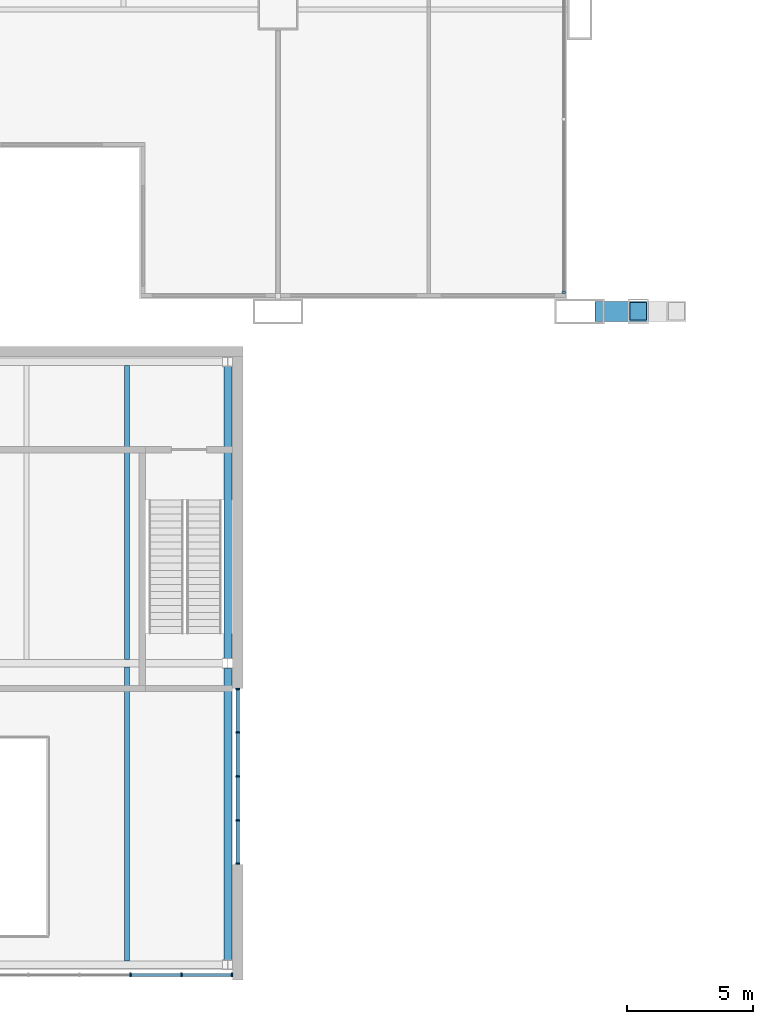
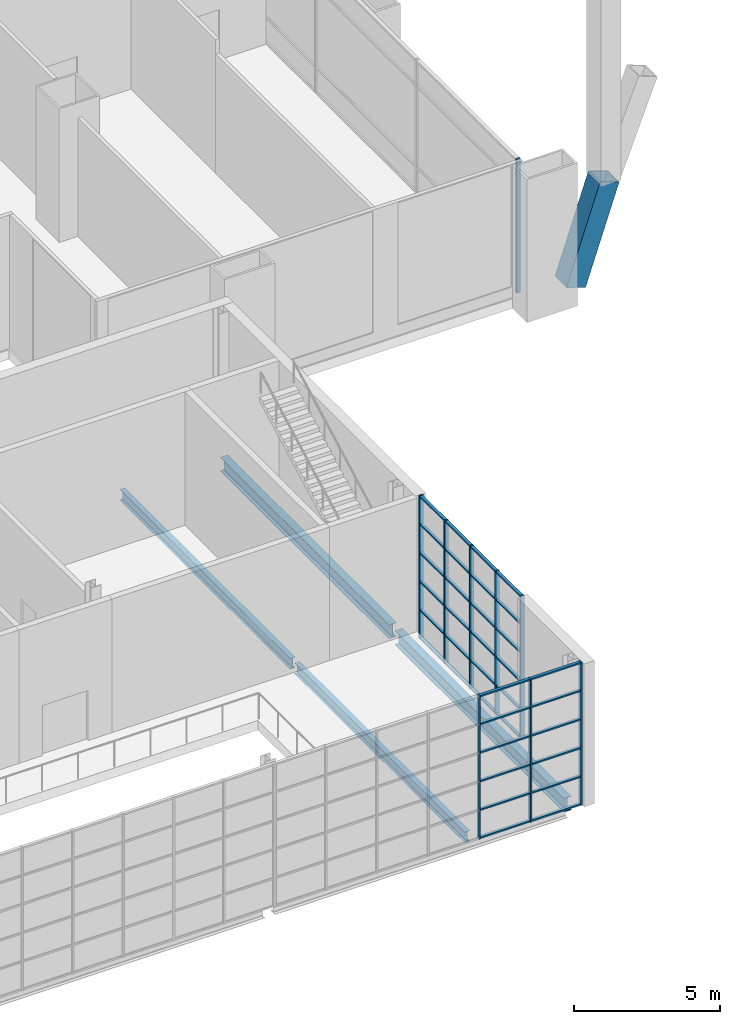
# One storey, part 10 of 30: 46 members, 4 beams, 3 elements without a shape of their own.
"""IFC4 building model written with IfcOpenShell, lengths in metres."""

from ifc_helpers import new_model, si_unit, direction, frame, origin, origin_2d, place, context, subcontext, project, spatial, rectangle, hollow_rectangle, i_section, extrude, material, layer, layer_set, material_profile, profile_set, type_object, element, aggregate, save


model = new_model("IFC4")

# Units and contexts
model_context = context("Model", 3, precision=1e-05, world=origin(), true_north=direction((0.0, 1.0)))
body_context = subcontext(model_context, "Body", "Model", "MODEL_VIEW")
ifc_project = project(units=[si_unit("LENGTHUNIT", "METRE"), si_unit("AREAUNIT", "SQUARE_METRE"), si_unit("VOLUMEUNIT", "CUBIC_METRE"), si_unit("PLANEANGLEUNIT", "RADIAN"), si_unit("MASSUNIT", "GRAM", prefix="KILO")], contexts=[model_context])

# Site, building, storey
site_placement = place(None, origin())
site = spatial("IfcSite", under=ifc_project, at=site_placement, CompositionType="ELEMENT")
building_placement = place(site_placement, origin())
building = spatial("IfcBuilding", under=site, at=building_placement, Name="Kitamizu Gate Tower and Museum", CompositionType="ELEMENT")
storey_placement = place(building_placement, frame((0.0, 0.0, 6.0)))
storey = spatial("IfcBuildingStorey", under=building, at=storey_placement, Name="L01", CompositionType="ELEMENT", Elevation=6.0)

# Member
ifc_material_1 = material(Name="Steel SM490A bronze coated", Category="steel")
ifc_material_profile_1 = material_profile(ifc_material_1, hollow_rectangle(XDim=0.800048828125, YDim=0.800048828125, WallThickness=0.050048828125, at=origin_2d()), Name="BOX 800x800x50")
ifc_profile_set_1 = profile_set([ifc_material_profile_1], Name="Steel SM490A bronze coated")
member_type_1 = type_object("IfcMemberType", Name="Arch rib AR1 BOX 800x800x50", PredefinedType="USERDEFINED", material=ifc_profile_set_1)
member_1_placement = place(storey_placement, frame((25.0, 0.0, 0.306396484375), z_axis=(0.319044039377, 0.0, 0.947739890971), x_axis=(0.0, 1.0, 0.0)))
element("IfcMember", 1, at=member_1_placement, inside=storey, type_object=member_type_1, Name="Arch rib SW-1", ObjectType="ARCH RIB", PredefinedType="USERDEFINED", context=body_context, shape_type="SweptSolid", body=[
    extrude(hollow_rectangle(XDim=0.800048828125, YDim=0.800048828125, WallThickness=0.050048828125, at=origin_2d()), origin(), (0.0, 0.0, 1.0), 4.18505859375),
])

# Curtain wall, member
ifc_material_2 = material(Name="Bronze anodised aluminium frame, tinted triple glazing", Category="aluminium")
curtain_wall_type_1 = type_object("IfcCurtainWallType", Name="CURTAIN WALL TYPE A PODIUM", PredefinedType="NOTDEFINED", material=ifc_material_2)
curtain_wall_1_placement = place(storey_placement, origin())
curtain_wall_1 = element("IfcCurtainWall", 2, at=curtain_wall_1_placement, inside=storey, type_object=curtain_wall_type_1, Name="Curtain wall CW-A east L01", PredefinedType="NOTDEFINED")
ifc_material_3 = material(Name="Bronze anodised aluminium", Category="aluminium")
ifc_material_profile_2 = material_profile(ifc_material_3, rectangle(XDim=0.090087890625, YDim=0.14990234375, at=origin_2d()), Name="AL 90X150")
ifc_profile_set_2 = profile_set([ifc_material_profile_2], Name="Bronze anodised aluminium")
member_type_2 = type_object("IfcMemberType", Name="MULLION 90 X 150 TYPE A", PredefinedType="MULLION", material=ifc_profile_set_2)
member_2_placement = place(storey_placement, frame((23.364990234375, 0.7548828125, 0.0), z_axis=(0.0, 0.0, 1.0), x_axis=(0.0, 1.0, 0.0)))
member_2 = element("IfcMember", 3, at=member_2_placement, type_object=member_type_2, Name="CW-A mullion 1", PredefinedType="MULLION", context=body_context, shape_type="SweptSolid", body=[
    extrude(rectangle(XDim=0.090087890625, YDim=0.14990234375, at=origin_2d()), origin(), (0.0, 0.0, 1.0), 5.60009765625),
])
aggregate(curtain_wall_1, [member_2])

# Curtain wall, members
ifc_material_4 = material(Name="Bronze anodised aluminium frame, tinted triple glazing", Category="aluminium")
ifc_layer = layer(ifc_material_4, 0.39990234375)
ifc_layer_set = layer_set([ifc_layer], Name="Bronze anodised aluminium frame, tinted triple glazing")
curtain_wall_type_2 = type_object("IfcCurtainWallType", Name="Museum atrium curtain wall D", PredefinedType="NOTDEFINED", material=ifc_layer_set)
curtain_wall_2_placement = place(storey_placement, origin())
curtain_wall_2 = element("IfcCurtainWall", 4, at=curtain_wall_2_placement, inside=storey, type_object=curtain_wall_type_2, Name="Atrium curtain wall Sm2m10.2", PredefinedType="NOTDEFINED")
ifc_material_5 = material(Name="Bronze anodised aluminium", Category="aluminium")
ifc_material_profile_3 = material_profile(ifc_material_5, rectangle(XDim=0.06005859375, YDim=0.159912109375, at=origin_2d()), Name="60x160")
ifc_profile_set_3 = profile_set([ifc_material_profile_3], Name="Bronze anodised aluminium")
member_type_3 = type_object("IfcMemberType", Name="Museum curtain wall mullion 60x160", PredefinedType="MULLION", material=ifc_profile_set_3)
member_3_placement = place(storey_placement, frame((6.13330078125, -26.39990234375, -0.39990234375), z_axis=(0.0, 0.0, 1.0), x_axis=(1.0, 0.0, 0.0)))
member_3 = element("IfcMember", 5, at=member_3_placement, type_object=member_type_3, Name="CW-D mullion 5", PredefinedType="MULLION", context=body_context, shape_type="SweptSolid", body=[
    extrude(rectangle(XDim=0.06005859375, YDim=0.159912109375, at=origin_2d()), origin(), (0.0, 0.0, 1.0), 6.0),
])
member_4_placement = place(storey_placement, frame((8.166748046875, -26.39990234375, -0.39990234375), z_axis=(0.0, 0.0, 1.0), x_axis=(1.0, 0.0, 0.0)))
member_4 = element("IfcMember", 6, at=member_4_placement, type_object=member_type_3, Name="CW-D mullion 6", PredefinedType="MULLION", context=body_context, shape_type="SweptSolid", body=[
    extrude(rectangle(XDim=0.06005859375, YDim=0.159912109375, at=origin_2d()), origin(), (0.0, 0.0, 1.0), 6.0),
])
member_5_placement = place(storey_placement, frame((10.169921875, -26.39990234375, -0.39990234375), z_axis=(0.0, 0.0, 1.0), x_axis=(1.0, 0.0, 0.0)))
member_5 = element("IfcMember", 7, at=member_5_placement, type_object=member_type_3, Name="CW-D mullion 7", PredefinedType="MULLION", context=body_context, shape_type="SweptSolid", body=[
    extrude(rectangle(XDim=0.06005859375, YDim=0.159912109375, at=origin_2d()), origin(), (0.0, 0.0, 1.0), 6.0),
])

curtain_wall_3_placement = place(storey_placement, origin())
curtain_wall_3 = element("IfcCurtainWall", 8, at=curtain_wall_3_placement, inside=storey, type_object=curtain_wall_type_2, Name="Atrium curtain wall Em22mm15", PredefinedType="NOTDEFINED")
member_6_placement = place(storey_placement, frame((10.39990234375, -21.969970703125, -0.39990234375), z_axis=(0.0, 0.0, 1.0), x_axis=(0.0, 1.0, 0.0)))
member_6 = element("IfcMember", 9, at=member_6_placement, type_object=member_type_3, Name="CW-D mullion 1", PredefinedType="MULLION", context=body_context, shape_type="SweptSolid", body=[
    extrude(rectangle(XDim=0.06005859375, YDim=0.159912109375, at=origin_2d()), origin(), (0.0, 0.0, 1.0), 6.0),
])
member_7_placement = place(storey_placement, frame((10.39990234375, -20.25, -0.39990234375), z_axis=(0.0, 0.0, 1.0), x_axis=(0.0, 1.0, 0.0)))
member_7 = element("IfcMember", 10, at=member_7_placement, type_object=member_type_3, Name="CW-D mullion 2", PredefinedType="MULLION", context=body_context, shape_type="SweptSolid", body=[
    extrude(rectangle(XDim=0.06005859375, YDim=0.159912109375, at=origin_2d()), origin(), (0.0, 0.0, 1.0), 6.0),
])
member_8_placement = place(storey_placement, frame((10.39990234375, -18.5, -0.39990234375), z_axis=(0.0, 0.0, 1.0), x_axis=(0.0, 1.0, 0.0)))
member_8 = element("IfcMember", 11, at=member_8_placement, type_object=member_type_3, Name="CW-D mullion 3", PredefinedType="MULLION", context=body_context, shape_type="SweptSolid", body=[
    extrude(rectangle(XDim=0.06005859375, YDim=0.159912109375, at=origin_2d()), origin(), (0.0, 0.0, 1.0), 6.0),
])
member_9_placement = place(storey_placement, frame((10.39990234375, -16.75, -0.39990234375), z_axis=(0.0, 0.0, 1.0), x_axis=(0.0, 1.0, 0.0)))
member_9 = element("IfcMember", 12, at=member_9_placement, type_object=member_type_3, Name="CW-D mullion 4", PredefinedType="MULLION", context=body_context, shape_type="SweptSolid", body=[
    extrude(rectangle(XDim=0.06005859375, YDim=0.159912109375, at=origin_2d()), origin(), (0.0, 0.0, 1.0), 6.0),
])
member_10_placement = place(storey_placement, frame((10.39990234375, -15.030029296875, -0.39990234375), z_axis=(0.0, 0.0, 1.0), x_axis=(0.0, 1.0, 0.0)))
member_10 = element("IfcMember", 13, at=member_10_placement, type_object=member_type_3, Name="CW-D mullion 5", PredefinedType="MULLION", context=body_context, shape_type="SweptSolid", body=[
    extrude(rectangle(XDim=0.06005859375, YDim=0.159912109375, at=origin_2d()), origin(), (0.0, 0.0, 1.0), 6.0),
])

# Member
ifc_material_6 = material(Name="Bronze anodised aluminium", Category="aluminium")
ifc_material_profile_4 = material_profile(ifc_material_6, rectangle(XDim=0.1201171875, YDim=0.06005859375, at=origin_2d()), Name="120x60")
ifc_profile_set_4 = profile_set([ifc_material_profile_4], Name="Bronze anodised aluminium")
member_type_4 = type_object("IfcMemberType", Name="Museum curtain wall transom 60x120", PredefinedType="USERDEFINED", material=ifc_profile_set_4)
member_11_placement = place(storey_placement, frame((6.163330078125, -26.39990234375, -0.3701171875), z_axis=(1.0, 0.0, 0.0), x_axis=(0.0, 1.0, 0.0)))
member_11 = element("IfcMember", 14, at=member_11_placement, type_object=member_type_4, Name="CW-D transom 5.1", ObjectType="TRANSOM", PredefinedType="USERDEFINED", context=body_context, shape_type="SweptSolid", body=[
    extrude(rectangle(XDim=0.1201171875, YDim=0.06005859375, at=origin_2d()), origin(), (0.0, 0.0, 1.0), 1.973388671875),
])

member_12_placement = place(storey_placement, frame((6.163330078125, -26.39990234375, 0.800048828125), z_axis=(1.0, 0.0, 0.0), x_axis=(0.0, 1.0, 0.0)))
member_12 = element("IfcMember", 15, at=member_12_placement, type_object=member_type_4, Name="CW-D transom 5.2", ObjectType="TRANSOM", PredefinedType="USERDEFINED", context=body_context, shape_type="SweptSolid", body=[
    extrude(rectangle(XDim=0.1201171875, YDim=0.06005859375, at=origin_2d()), origin(), (0.0, 0.0, 1.0), 1.973388671875),
])

member_13_placement = place(storey_placement, frame((6.163330078125, -26.39990234375, 2.0), z_axis=(1.0, 0.0, 0.0), x_axis=(0.0, 1.0, 0.0)))
member_13 = element("IfcMember", 16, at=member_13_placement, type_object=member_type_4, Name="CW-D transom 5.3", ObjectType="TRANSOM", PredefinedType="USERDEFINED", context=body_context, shape_type="SweptSolid", body=[
    extrude(rectangle(XDim=0.1201171875, YDim=0.06005859375, at=origin_2d()), origin(), (0.0, 0.0, 1.0), 1.973388671875),
])

member_14_placement = place(storey_placement, frame((6.163330078125, -26.39990234375, 3.199951171875), z_axis=(1.0, 0.0, 0.0), x_axis=(0.0, 1.0, 0.0)))
member_14 = element("IfcMember", 17, at=member_14_placement, type_object=member_type_4, Name="CW-D transom 5.4", ObjectType="TRANSOM", PredefinedType="USERDEFINED", context=body_context, shape_type="SweptSolid", body=[
    extrude(rectangle(XDim=0.1201171875, YDim=0.06005859375, at=origin_2d()), origin(), (0.0, 0.0, 1.0), 1.973388671875),
])

member_15_placement = place(storey_placement, frame((6.163330078125, -26.39990234375, 4.39990234375), z_axis=(1.0, 0.0, 0.0), x_axis=(0.0, 1.0, 0.0)))
member_15 = element("IfcMember", 18, at=member_15_placement, type_object=member_type_4, Name="CW-D transom 5.5", ObjectType="TRANSOM", PredefinedType="USERDEFINED", context=body_context, shape_type="SweptSolid", body=[
    extrude(rectangle(XDim=0.1201171875, YDim=0.06005859375, at=origin_2d()), origin(), (0.0, 0.0, 1.0), 1.973388671875),
])

member_16_placement = place(storey_placement, frame((6.163330078125, -26.39990234375, 5.570068359375), z_axis=(1.0, 0.0, 0.0), x_axis=(0.0, 1.0, 0.0)))
member_16 = element("IfcMember", 19, at=member_16_placement, type_object=member_type_4, Name="CW-D transom 5.6", ObjectType="TRANSOM", PredefinedType="USERDEFINED", context=body_context, shape_type="SweptSolid", body=[
    extrude(rectangle(XDim=0.1201171875, YDim=0.06005859375, at=origin_2d()), origin(), (0.0, 0.0, 1.0), 1.973388671875),
])

member_17_placement = place(storey_placement, frame((8.19677734375, -26.39990234375, -0.3701171875), z_axis=(1.0, 0.0, 0.0), x_axis=(0.0, 1.0, 0.0)))
member_17 = element("IfcMember", 20, at=member_17_placement, type_object=member_type_4, Name="CW-D transom 6.1", ObjectType="TRANSOM", PredefinedType="USERDEFINED", context=body_context, shape_type="SweptSolid", body=[
    extrude(rectangle(XDim=0.1201171875, YDim=0.06005859375, at=origin_2d()), origin(), (0.0, 0.0, 1.0), 1.943115234375),
])

member_18_placement = place(storey_placement, frame((8.19677734375, -26.39990234375, 0.800048828125), z_axis=(1.0, 0.0, 0.0), x_axis=(0.0, 1.0, 0.0)))
member_18 = element("IfcMember", 21, at=member_18_placement, type_object=member_type_4, Name="CW-D transom 6.2", ObjectType="TRANSOM", PredefinedType="USERDEFINED", context=body_context, shape_type="SweptSolid", body=[
    extrude(rectangle(XDim=0.1201171875, YDim=0.06005859375, at=origin_2d()), origin(), (0.0, 0.0, 1.0), 1.943115234375),
])

member_19_placement = place(storey_placement, frame((8.19677734375, -26.39990234375, 2.0), z_axis=(1.0, 0.0, 0.0), x_axis=(0.0, 1.0, 0.0)))
member_19 = element("IfcMember", 22, at=member_19_placement, type_object=member_type_4, Name="CW-D transom 6.3", ObjectType="TRANSOM", PredefinedType="USERDEFINED", context=body_context, shape_type="SweptSolid", body=[
    extrude(rectangle(XDim=0.1201171875, YDim=0.06005859375, at=origin_2d()), origin(), (0.0, 0.0, 1.0), 1.943115234375),
])

member_20_placement = place(storey_placement, frame((8.19677734375, -26.39990234375, 3.199951171875), z_axis=(1.0, 0.0, 0.0), x_axis=(0.0, 1.0, 0.0)))
member_20 = element("IfcMember", 23, at=member_20_placement, type_object=member_type_4, Name="CW-D transom 6.4", ObjectType="TRANSOM", PredefinedType="USERDEFINED", context=body_context, shape_type="SweptSolid", body=[
    extrude(rectangle(XDim=0.1201171875, YDim=0.06005859375, at=origin_2d()), origin(), (0.0, 0.0, 1.0), 1.943115234375),
])

member_21_placement = place(storey_placement, frame((8.19677734375, -26.39990234375, 4.39990234375), z_axis=(1.0, 0.0, 0.0), x_axis=(0.0, 1.0, 0.0)))
member_21 = element("IfcMember", 24, at=member_21_placement, type_object=member_type_4, Name="CW-D transom 6.5", ObjectType="TRANSOM", PredefinedType="USERDEFINED", context=body_context, shape_type="SweptSolid", body=[
    extrude(rectangle(XDim=0.1201171875, YDim=0.06005859375, at=origin_2d()), origin(), (0.0, 0.0, 1.0), 1.943115234375),
])

member_22_placement = place(storey_placement, frame((8.19677734375, -26.39990234375, 5.570068359375), z_axis=(1.0, 0.0, 0.0), x_axis=(0.0, 1.0, 0.0)))
member_22 = element("IfcMember", 25, at=member_22_placement, type_object=member_type_4, Name="CW-D transom 6.6", ObjectType="TRANSOM", PredefinedType="USERDEFINED", context=body_context, shape_type="SweptSolid", body=[
    extrude(rectangle(XDim=0.1201171875, YDim=0.06005859375, at=origin_2d()), origin(), (0.0, 0.0, 1.0), 1.943115234375),
])

aggregate(curtain_wall_2, [member_3, member_4, member_5, member_11, member_12, member_13, member_14, member_15, member_16, member_17, member_18, member_19, member_20, member_21, member_22])

member_23_placement = place(storey_placement, frame((10.39990234375, -21.93994140625, -0.3701171875), z_axis=(0.0, 1.0, 0.0), x_axis=(-1.0, 0.0, 0.0)))
member_23 = element("IfcMember", 26, at=member_23_placement, type_object=member_type_4, Name="CW-D transom 1.1", ObjectType="TRANSOM", PredefinedType="USERDEFINED", context=body_context, shape_type="SweptSolid", body=[
    extrude(rectangle(XDim=0.1201171875, YDim=0.06005859375, at=origin_2d()), origin(), (0.0, 0.0, 1.0), 1.659912109375),
])

member_24_placement = place(storey_placement, frame((10.39990234375, -21.93994140625, 0.800048828125), z_axis=(0.0, 1.0, 0.0), x_axis=(-1.0, 0.0, 0.0)))
member_24 = element("IfcMember", 27, at=member_24_placement, type_object=member_type_4, Name="CW-D transom 1.2", ObjectType="TRANSOM", PredefinedType="USERDEFINED", context=body_context, shape_type="SweptSolid", body=[
    extrude(rectangle(XDim=0.1201171875, YDim=0.06005859375, at=origin_2d()), origin(), (0.0, 0.0, 1.0), 1.659912109375),
])

member_25_placement = place(storey_placement, frame((10.39990234375, -21.93994140625, 2.0), z_axis=(0.0, 1.0, 0.0), x_axis=(-1.0, 0.0, 0.0)))
member_25 = element("IfcMember", 28, at=member_25_placement, type_object=member_type_4, Name="CW-D transom 1.3", ObjectType="TRANSOM", PredefinedType="USERDEFINED", context=body_context, shape_type="SweptSolid", body=[
    extrude(rectangle(XDim=0.1201171875, YDim=0.06005859375, at=origin_2d()), origin(), (0.0, 0.0, 1.0), 1.659912109375),
])

member_26_placement = place(storey_placement, frame((10.39990234375, -21.93994140625, 3.199951171875), z_axis=(0.0, 1.0, 0.0), x_axis=(-1.0, 0.0, 0.0)))
member_26 = element("IfcMember", 29, at=member_26_placement, type_object=member_type_4, Name="CW-D transom 1.4", ObjectType="TRANSOM", PredefinedType="USERDEFINED", context=body_context, shape_type="SweptSolid", body=[
    extrude(rectangle(XDim=0.1201171875, YDim=0.06005859375, at=origin_2d()), origin(), (0.0, 0.0, 1.0), 1.659912109375),
])

member_27_placement = place(storey_placement, frame((10.39990234375, -21.93994140625, 4.39990234375), z_axis=(0.0, 1.0, 0.0), x_axis=(-1.0, 0.0, 0.0)))
member_27 = element("IfcMember", 30, at=member_27_placement, type_object=member_type_4, Name="CW-D transom 1.5", ObjectType="TRANSOM", PredefinedType="USERDEFINED", context=body_context, shape_type="SweptSolid", body=[
    extrude(rectangle(XDim=0.1201171875, YDim=0.06005859375, at=origin_2d()), origin(), (0.0, 0.0, 1.0), 1.659912109375),
])

member_28_placement = place(storey_placement, frame((10.39990234375, -21.93994140625, 5.570068359375), z_axis=(0.0, 1.0, 0.0), x_axis=(-1.0, 0.0, 0.0)))
member_28 = element("IfcMember", 31, at=member_28_placement, type_object=member_type_4, Name="CW-D transom 1.6", ObjectType="TRANSOM", PredefinedType="USERDEFINED", context=body_context, shape_type="SweptSolid", body=[
    extrude(rectangle(XDim=0.1201171875, YDim=0.06005859375, at=origin_2d()), origin(), (0.0, 0.0, 1.0), 1.659912109375),
])

member_29_placement = place(storey_placement, frame((10.39990234375, -20.219970703125, -0.3701171875), z_axis=(0.0, 1.0, 0.0), x_axis=(-1.0, 0.0, 0.0)))
member_29 = element("IfcMember", 32, at=member_29_placement, type_object=member_type_4, Name="CW-D transom 2.1", ObjectType="TRANSOM", PredefinedType="USERDEFINED", context=body_context, shape_type="SweptSolid", body=[
    extrude(rectangle(XDim=0.1201171875, YDim=0.06005859375, at=origin_2d()), origin(), (0.0, 0.0, 1.0), 1.68994140625),
])

member_30_placement = place(storey_placement, frame((10.39990234375, -20.219970703125, 0.800048828125), z_axis=(0.0, 1.0, 0.0), x_axis=(-1.0, 0.0, 0.0)))
member_30 = element("IfcMember", 33, at=member_30_placement, type_object=member_type_4, Name="CW-D transom 2.2", ObjectType="TRANSOM", PredefinedType="USERDEFINED", context=body_context, shape_type="SweptSolid", body=[
    extrude(rectangle(XDim=0.1201171875, YDim=0.06005859375, at=origin_2d()), origin(), (0.0, 0.0, 1.0), 1.68994140625),
])

member_31_placement = place(storey_placement, frame((10.39990234375, -20.219970703125, 2.0), z_axis=(0.0, 1.0, 0.0), x_axis=(-1.0, 0.0, 0.0)))
member_31 = element("IfcMember", 34, at=member_31_placement, type_object=member_type_4, Name="CW-D transom 2.3", ObjectType="TRANSOM", PredefinedType="USERDEFINED", context=body_context, shape_type="SweptSolid", body=[
    extrude(rectangle(XDim=0.1201171875, YDim=0.06005859375, at=origin_2d()), origin(), (0.0, 0.0, 1.0), 1.68994140625),
])

member_32_placement = place(storey_placement, frame((10.39990234375, -20.219970703125, 3.199951171875), z_axis=(0.0, 1.0, 0.0), x_axis=(-1.0, 0.0, 0.0)))
member_32 = element("IfcMember", 35, at=member_32_placement, type_object=member_type_4, Name="CW-D transom 2.4", ObjectType="TRANSOM", PredefinedType="USERDEFINED", context=body_context, shape_type="SweptSolid", body=[
    extrude(rectangle(XDim=0.1201171875, YDim=0.06005859375, at=origin_2d()), origin(), (0.0, 0.0, 1.0), 1.68994140625),
])

member_33_placement = place(storey_placement, frame((10.39990234375, -20.219970703125, 4.39990234375), z_axis=(0.0, 1.0, 0.0), x_axis=(-1.0, 0.0, 0.0)))
member_33 = element("IfcMember", 36, at=member_33_placement, type_object=member_type_4, Name="CW-D transom 2.5", ObjectType="TRANSOM", PredefinedType="USERDEFINED", context=body_context, shape_type="SweptSolid", body=[
    extrude(rectangle(XDim=0.1201171875, YDim=0.06005859375, at=origin_2d()), origin(), (0.0, 0.0, 1.0), 1.68994140625),
])

member_34_placement = place(storey_placement, frame((10.39990234375, -20.219970703125, 5.570068359375), z_axis=(0.0, 1.0, 0.0), x_axis=(-1.0, 0.0, 0.0)))
member_34 = element("IfcMember", 37, at=member_34_placement, type_object=member_type_4, Name="CW-D transom 2.6", ObjectType="TRANSOM", PredefinedType="USERDEFINED", context=body_context, shape_type="SweptSolid", body=[
    extrude(rectangle(XDim=0.1201171875, YDim=0.06005859375, at=origin_2d()), origin(), (0.0, 0.0, 1.0), 1.68994140625),
])

member_35_placement = place(storey_placement, frame((10.39990234375, -18.469970703125, -0.3701171875), z_axis=(0.0, 1.0, 0.0), x_axis=(-1.0, 0.0, 0.0)))
member_35 = element("IfcMember", 38, at=member_35_placement, type_object=member_type_4, Name="CW-D transom 3.1", ObjectType="TRANSOM", PredefinedType="USERDEFINED", context=body_context, shape_type="SweptSolid", body=[
    extrude(rectangle(XDim=0.1201171875, YDim=0.06005859375, at=origin_2d()), origin(), (0.0, 0.0, 1.0), 1.68994140625),
])

member_36_placement = place(storey_placement, frame((10.39990234375, -18.469970703125, 0.800048828125), z_axis=(0.0, 1.0, 0.0), x_axis=(-1.0, 0.0, 0.0)))
member_36 = element("IfcMember", 39, at=member_36_placement, type_object=member_type_4, Name="CW-D transom 3.2", ObjectType="TRANSOM", PredefinedType="USERDEFINED", context=body_context, shape_type="SweptSolid", body=[
    extrude(rectangle(XDim=0.1201171875, YDim=0.06005859375, at=origin_2d()), origin(), (0.0, 0.0, 1.0), 1.68994140625),
])

member_37_placement = place(storey_placement, frame((10.39990234375, -18.469970703125, 2.0), z_axis=(0.0, 1.0, 0.0), x_axis=(-1.0, 0.0, 0.0)))
member_37 = element("IfcMember", 40, at=member_37_placement, type_object=member_type_4, Name="CW-D transom 3.3", ObjectType="TRANSOM", PredefinedType="USERDEFINED", context=body_context, shape_type="SweptSolid", body=[
    extrude(rectangle(XDim=0.1201171875, YDim=0.06005859375, at=origin_2d()), origin(), (0.0, 0.0, 1.0), 1.68994140625),
])

member_38_placement = place(storey_placement, frame((10.39990234375, -18.469970703125, 3.199951171875), z_axis=(0.0, 1.0, 0.0), x_axis=(-1.0, 0.0, 0.0)))
member_38 = element("IfcMember", 41, at=member_38_placement, type_object=member_type_4, Name="CW-D transom 3.4", ObjectType="TRANSOM", PredefinedType="USERDEFINED", context=body_context, shape_type="SweptSolid", body=[
    extrude(rectangle(XDim=0.1201171875, YDim=0.06005859375, at=origin_2d()), origin(), (0.0, 0.0, 1.0), 1.68994140625),
])

member_39_placement = place(storey_placement, frame((10.39990234375, -18.469970703125, 4.39990234375), z_axis=(0.0, 1.0, 0.0), x_axis=(-1.0, 0.0, 0.0)))
member_39 = element("IfcMember", 42, at=member_39_placement, type_object=member_type_4, Name="CW-D transom 3.5", ObjectType="TRANSOM", PredefinedType="USERDEFINED", context=body_context, shape_type="SweptSolid", body=[
    extrude(rectangle(XDim=0.1201171875, YDim=0.06005859375, at=origin_2d()), origin(), (0.0, 0.0, 1.0), 1.68994140625),
])

member_40_placement = place(storey_placement, frame((10.39990234375, -18.469970703125, 5.570068359375), z_axis=(0.0, 1.0, 0.0), x_axis=(-1.0, 0.0, 0.0)))
member_40 = element("IfcMember", 43, at=member_40_placement, type_object=member_type_4, Name="CW-D transom 3.6", ObjectType="TRANSOM", PredefinedType="USERDEFINED", context=body_context, shape_type="SweptSolid", body=[
    extrude(rectangle(XDim=0.1201171875, YDim=0.06005859375, at=origin_2d()), origin(), (0.0, 0.0, 1.0), 1.68994140625),
])

member_41_placement = place(storey_placement, frame((10.39990234375, -16.719970703125, -0.3701171875), z_axis=(0.0, 1.0, 0.0), x_axis=(-1.0, 0.0, 0.0)))
member_41 = element("IfcMember", 44, at=member_41_placement, type_object=member_type_4, Name="CW-D transom 4.1", ObjectType="TRANSOM", PredefinedType="USERDEFINED", context=body_context, shape_type="SweptSolid", body=[
    extrude(rectangle(XDim=0.1201171875, YDim=0.06005859375, at=origin_2d()), origin(), (0.0, 0.0, 1.0), 1.659912109375),
])

member_42_placement = place(storey_placement, frame((10.39990234375, -16.719970703125, 0.800048828125), z_axis=(0.0, 1.0, 0.0), x_axis=(-1.0, 0.0, 0.0)))
member_42 = element("IfcMember", 45, at=member_42_placement, type_object=member_type_4, Name="CW-D transom 4.2", ObjectType="TRANSOM", PredefinedType="USERDEFINED", context=body_context, shape_type="SweptSolid", body=[
    extrude(rectangle(XDim=0.1201171875, YDim=0.06005859375, at=origin_2d()), origin(), (0.0, 0.0, 1.0), 1.659912109375),
])

member_43_placement = place(storey_placement, frame((10.39990234375, -16.719970703125, 2.0), z_axis=(0.0, 1.0, 0.0), x_axis=(-1.0, 0.0, 0.0)))
member_43 = element("IfcMember", 46, at=member_43_placement, type_object=member_type_4, Name="CW-D transom 4.3", ObjectType="TRANSOM", PredefinedType="USERDEFINED", context=body_context, shape_type="SweptSolid", body=[
    extrude(rectangle(XDim=0.1201171875, YDim=0.06005859375, at=origin_2d()), origin(), (0.0, 0.0, 1.0), 1.659912109375),
])

member_44_placement = place(storey_placement, frame((10.39990234375, -16.719970703125, 3.199951171875), z_axis=(0.0, 1.0, 0.0), x_axis=(-1.0, 0.0, 0.0)))
member_44 = element("IfcMember", 47, at=member_44_placement, type_object=member_type_4, Name="CW-D transom 4.4", ObjectType="TRANSOM", PredefinedType="USERDEFINED", context=body_context, shape_type="SweptSolid", body=[
    extrude(rectangle(XDim=0.1201171875, YDim=0.06005859375, at=origin_2d()), origin(), (0.0, 0.0, 1.0), 1.659912109375),
])

member_45_placement = place(storey_placement, frame((10.39990234375, -16.719970703125, 4.39990234375), z_axis=(0.0, 1.0, 0.0), x_axis=(-1.0, 0.0, 0.0)))
member_45 = element("IfcMember", 48, at=member_45_placement, type_object=member_type_4, Name="CW-D transom 4.5", ObjectType="TRANSOM", PredefinedType="USERDEFINED", context=body_context, shape_type="SweptSolid", body=[
    extrude(rectangle(XDim=0.1201171875, YDim=0.06005859375, at=origin_2d()), origin(), (0.0, 0.0, 1.0), 1.659912109375),
])

member_46_placement = place(storey_placement, frame((10.39990234375, -16.719970703125, 5.570068359375), z_axis=(0.0, 1.0, 0.0), x_axis=(-1.0, 0.0, 0.0)))
member_46 = element("IfcMember", 49, at=member_46_placement, type_object=member_type_4, Name="CW-D transom 4.6", ObjectType="TRANSOM", PredefinedType="USERDEFINED", context=body_context, shape_type="SweptSolid", body=[
    extrude(rectangle(XDim=0.1201171875, YDim=0.06005859375, at=origin_2d()), origin(), (0.0, 0.0, 1.0), 1.659912109375),
])

aggregate(curtain_wall_3, [member_6, member_7, member_8, member_9, member_10, member_23, member_24, member_25, member_26, member_27, member_28, member_29, member_30, member_31, member_32, member_33, member_34, member_35, member_36, member_37, member_38, member_39, member_40, member_41, member_42, member_43, member_44, member_45, member_46])

# Beams
ifc_material_7 = material(Name="Steel SS400", Category="steel")
ifc_material_profile_5 = material_profile(ifc_material_7, i_section(OverallWidth=0.300048828125, OverallDepth=0.587890625, WebThickness=0.011962890625, FlangeThickness=0.02001953125, FilletRadius=0.028076171875, at=origin_2d()), Name="H-588x300x12x20")
ifc_profile_set_5 = profile_set([ifc_material_profile_5], Name="Steel SS400")
beam_type_1 = type_object("IfcBeamType", Name="Museum girder H 588x300x12x20", PredefinedType="BEAM", material=ifc_profile_set_5)
for number, where, z_axis, x_axis, name in (
    (50, (10.0, -25.800048828125, -0.694091796875), (0.0, 1.0, 0.0), (-1.0, 0.0, 0.0), "Girder yM4MAMB"),
    (51, (10.0, -13.800048828125, -0.694091796875), (0.0, 1.0, 0.0), (-1.0, 0.0, 0.0), "Girder yM4MBMC"),
):
    element("IfcBeam", number, at=place(storey_placement, frame(where, z_axis=z_axis, x_axis=x_axis)), inside=storey, type_object=beam_type_1, Name=name, PredefinedType="BEAM", context=body_context, shape_type="SweptSolid", body=[
        extrude(i_section(OverallWidth=0.300048828125, OverallDepth=0.587890625, WebThickness=0.011962890625, FlangeThickness=0.02001953125, FilletRadius=0.028076171875, at=origin_2d()), origin(), (0.0, 0.0, 1.0), 11.60009765625),
    ])
ifc_material_8 = material(Name="Steel SS400", Category="steel")
ifc_material_profile_6 = material_profile(ifc_material_8, i_section(OverallWidth=0.199951171875, OverallDepth=0.449951171875, WebThickness=0.009033203125, FlangeThickness=0.013916015625, FilletRadius=0.01806640625, at=origin_2d()), Name="H-450x200x9x14")
ifc_profile_set_6 = profile_set([ifc_material_profile_6], Name="Steel SS400")
beam_type_2 = type_object("IfcBeamType", Name="Museum secondary beam H 450x200x9x14", PredefinedType="JOIST", material=ifc_profile_set_6)
for number, where, z_axis, x_axis, name in (
    (52, (6.0, -25.85009765625, -0.625), (0.0, 1.0, 0.0), (-1.0, 0.0, 0.0), "Secondary beam M3M4MAMB.2"),
    (53, (6.0, -13.85009765625, -0.625), (0.0, 1.0, 0.0), (-1.0, 0.0, 0.0), "Secondary beam M3M4MBMC.2"),
):
    element("IfcBeam", number, at=place(storey_placement, frame(where, z_axis=z_axis, x_axis=x_axis)), inside=storey, type_object=beam_type_2, Name=name, PredefinedType="JOIST", context=body_context, shape_type="SweptSolid", body=[
        extrude(i_section(OverallWidth=0.199951171875, OverallDepth=0.449951171875, WebThickness=0.009033203125, FlangeThickness=0.013916015625, FilletRadius=0.01806640625, at=origin_2d()), origin(), (0.0, 0.0, 1.0), 11.7001953125),
    ])

save(model, "model.ifc")
